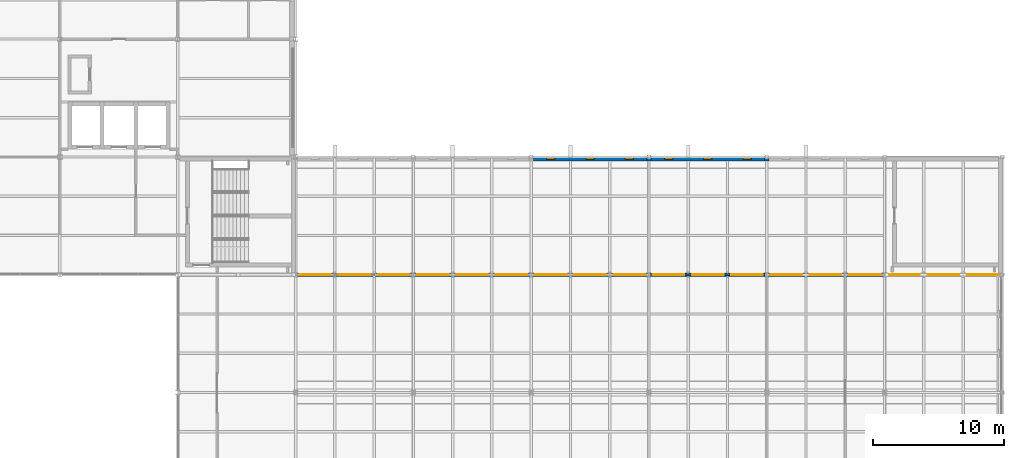
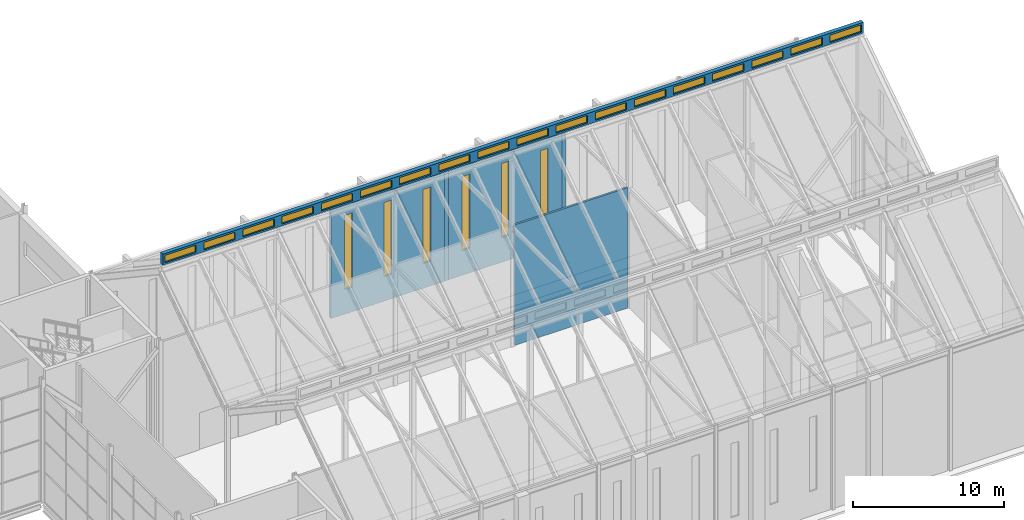
# One storey, part 93 of 111: 24 windows, 6 walls, 24 openings.
"""IFC4 building model written with IfcOpenShell, lengths in metres."""

from ifc_helpers import new_model, si_unit, direction, frame, frame_2d, origin, place, context, subcontext, project, spatial, rectangle, extrude, material, layer, layer_set, type_object, element, fill, save


model = new_model("IFC4")

# Units and contexts
model_context = context("Model", 3, precision=1e-05, world=origin(), true_north=direction((0.0, 1.0)))
body_context = subcontext(model_context, "Body", "Model", "MODEL_VIEW")
ifc_project = project(units=[si_unit("LENGTHUNIT", "METRE"), si_unit("AREAUNIT", "SQUARE_METRE"), si_unit("VOLUMEUNIT", "CUBIC_METRE"), si_unit("PLANEANGLEUNIT", "RADIAN"), si_unit("MASSUNIT", "GRAM", prefix="KILO")], contexts=[model_context])

# Site, building, storey
site_placement = place(None, origin())
site = spatial("IfcSite", under=ifc_project, at=site_placement, CompositionType="ELEMENT")
building_placement = place(site_placement, origin())
building = spatial("IfcBuilding", under=site, at=building_placement, Name="Shorebreak Coast Museum", CompositionType="ELEMENT")
storey_placement = place(building_placement, frame((0.0, 0.0, 16.0)))
storey = spatial("IfcBuildingStorey", under=building, at=storey_placement, Name="L03", CompositionType="ELEMENT", Elevation=16.0)

# Walls
ifc_material_1 = material(Name="Concrete N50 (50 MPa)", Category="concrete")
ifc_layer_1 = layer(ifc_material_1, 0.175048828125)
ifc_layer_set_1 = layer_set([ifc_layer_1], Name="Concrete N50 (50 MPa)")
wall_type_1 = type_object("IfcWallType", Name="Column closure panel 175", PredefinedType="SOLIDWALL", material=ifc_layer_set_1)
for number, where, z_axis, x_axis, name in (
    (1, (143.839111328125, 89.78759765625, 0.0), (0.0, 0.0, 1.0), (1.0, 0.0, 0.0), "Column closure panel L03 N 17L"),
    (2, (152.839111328125, 89.78759765625, 0.0), (0.0, 0.0, 1.0), (1.0, 0.0, 0.0), "Column closure panel L03 N 18L"),
):
    element("IfcWall", number, at=place(storey_placement, frame(where, z_axis=z_axis, x_axis=x_axis)), inside=storey, type_object=wall_type_1, Name=name, PredefinedType="SOLIDWALL", context=body_context, shape_type="SweptSolid", body=[
        extrude(rectangle(XDim=0.32177734375, YDim=0.175048828125, at=frame_2d((0.160888671875, 0.0))), origin(), (0.0, 0.0, 1.0), 9.800048828125),
    ])
ifc_material_2 = material(Name="Plasterboard on steel stud", Category="steel")
ifc_layer_2 = layer(ifc_material_2, 0.14990234375)
ifc_layer_set_2 = layer_set([ifc_layer_2], Name="Plasterboard on steel stud")
wall_type_2 = type_object("IfcWallType", Name="Fire partition 150", PredefinedType="PARTITIONING", material=ifc_layer_set_2)
wall_1_placement = place(storey_placement, frame((144.152587890625, 81.0, 0.0), z_axis=(0.0, 0.0, 1.0), x_axis=(1.0, 0.0, 0.0)))
element("IfcWall", 3, at=wall_1_placement, inside=storey, type_object=wall_type_2, Name="Partition L03-014", PredefinedType="PARTITIONING", context=body_context, shape_type="SweptSolid", body=[
    extrude(rectangle(XDim=8.69482421875, YDim=0.14990234375, at=frame_2d((4.347412109375, 0.0))), origin(), (0.0, 0.0, 1.0), 9.760009765625),
])

# Wall, openings, windows
ifc_material_3 = material(Name="Concrete N50 (50 MPa)", Category="concrete")
ifc_layer_3 = layer(ifc_material_3, 0.300048828125)
ifc_layer_set_3 = layer_set([ifc_layer_3], Name="Concrete N50 (50 MPa)")
wall_type_3 = type_object("IfcWallType", Name="Precast board-marked panel 300", PredefinedType="SOLIDWALL", material=ifc_layer_set_3)
wall_2_placement = place(storey_placement, frame((135.160888671875, 89.85009765625, 0.0), z_axis=(0.0, 0.0, 1.0), x_axis=(1.0, 0.0, 0.0)))
wall_2 = element("IfcWall", 4, at=wall_2_placement, inside=storey, type_object=wall_type_3, Name="External wall L03 N 16L", PredefinedType="SOLIDWALL", context=body_context, shape_type="SweptSolid", body=[
    extrude(rectangle(XDim=8.67822265625, YDim=0.300048828125, at=frame_2d((4.339111328125, 0.0))), origin(), (0.0, 0.0, 1.0), 9.800048828125),
])
opening_1_placement = place(wall_2_placement, frame((1.0390625, 0.0, 2.0)))
opening_1 = element("IfcOpeningElement", 5, at=opening_1_placement, cuts=wall_2, Name="Opening WN3011", PredefinedType="OPENING", context=body_context, shape_type="SweptSolid", body=[
    extrude(rectangle(XDim=0.60009765625, YDim=6.0, at=frame_2d((0.300048828125, 3.0))), frame((0.0, 0.159912109375, 0.0), z_axis=(0.0, -1.0, 0.0), x_axis=(1.0, 0.0, 0.0)), (0.0, 0.0, 1.0), 0.320068359375),
])
opening_2_placement = place(wall_2_placement, frame((4.0390625, 0.0, 2.0)))
opening_2 = element("IfcOpeningElement", 6, at=opening_2_placement, cuts=wall_2, Name="Opening WN3012", PredefinedType="OPENING", context=body_context, shape_type="SweptSolid", body=[
    extrude(rectangle(XDim=0.60009765625, YDim=6.0, at=frame_2d((0.300048828125, 3.0))), frame((0.0, 0.159912109375, 0.0), z_axis=(0.0, -1.0, 0.0), x_axis=(1.0, 0.0, 0.0)), (0.0, 0.0, 1.0), 0.320068359375),
])
opening_3_placement = place(wall_2_placement, frame((7.0390625, 0.0, 2.0)))
opening_3 = element("IfcOpeningElement", 7, at=opening_3_placement, cuts=wall_2, Name="Opening WN3013", PredefinedType="OPENING", context=body_context, shape_type="SweptSolid", body=[
    extrude(rectangle(XDim=0.60009765625, YDim=6.0, at=frame_2d((0.300048828125, 3.0))), frame((0.0, 0.159912109375, 0.0), z_axis=(0.0, -1.0, 0.0), x_axis=(1.0, 0.0, 0.0)), (0.0, 0.0, 1.0), 0.320068359375),
])
ifc_material_4 = material(Name="Aluminium", Category="aluminium")
window_type_1 = type_object("IfcWindowType", Name="Hall slot window 600 x 6000", PartitioningType="SINGLE_PANEL", PredefinedType="WINDOW", material=ifc_material_4)
window_1_placement = place(opening_1_placement, origin())
window_1 = element("IfcWindow", 8, at=window_1_placement, inside=storey, type_object=window_type_1, Name="Window WN3011", OverallHeight=6.0, OverallWidth=0.60009765625, PartitioningType="SINGLE_PANEL", PredefinedType="WINDOW", context=body_context, shape_type="SweptSolid", body=[
    extrude(rectangle(XDim=0.60009765625, YDim=6.0, at=frame_2d((0.300048828125, 3.0))), frame((0.0, 0.030029296875, 0.0), z_axis=(0.0, -1.0, 0.0), x_axis=(1.0, 0.0, 0.0)), (0.0, 0.0, 1.0), 0.06005859375),
])
fill(opening_1, window_1)
window_2_placement = place(opening_2_placement, origin())
window_2 = element("IfcWindow", 9, at=window_2_placement, inside=storey, type_object=window_type_1, Name="Window WN3012", OverallHeight=6.0, OverallWidth=0.60009765625, PartitioningType="SINGLE_PANEL", PredefinedType="WINDOW", context=body_context, shape_type="SweptSolid", body=[
    extrude(rectangle(XDim=0.60009765625, YDim=6.0, at=frame_2d((0.300048828125, 3.0))), frame((0.0, 0.030029296875, 0.0), z_axis=(0.0, -1.0, 0.0), x_axis=(1.0, 0.0, 0.0)), (0.0, 0.0, 1.0), 0.06005859375),
])
fill(opening_2, window_2)
window_3_placement = place(opening_3_placement, origin())
window_3 = element("IfcWindow", 10, at=window_3_placement, inside=storey, type_object=window_type_1, Name="Window WN3013", OverallHeight=6.0, OverallWidth=0.60009765625, PartitioningType="SINGLE_PANEL", PredefinedType="WINDOW", context=body_context, shape_type="SweptSolid", body=[
    extrude(rectangle(XDim=0.60009765625, YDim=6.0, at=frame_2d((0.300048828125, 3.0))), frame((0.0, 0.030029296875, 0.0), z_axis=(0.0, -1.0, 0.0), x_axis=(1.0, 0.0, 0.0)), (0.0, 0.0, 1.0), 0.06005859375),
])
fill(opening_3, window_3)

wall_3_placement = place(storey_placement, frame((144.160888671875, 89.85009765625, 0.0), z_axis=(0.0, 0.0, 1.0), x_axis=(1.0, 0.0, 0.0)))
wall_3 = element("IfcWall", 11, at=wall_3_placement, inside=storey, type_object=wall_type_3, Name="External wall L03 N 17L", PredefinedType="SOLIDWALL", context=body_context, shape_type="SweptSolid", body=[
    extrude(rectangle(XDim=8.67822265625, YDim=0.300048828125, at=frame_2d((4.339111328125, 0.0))), origin(), (0.0, 0.0, 1.0), 9.800048828125),
])
opening_4_placement = place(wall_3_placement, frame((1.0390625, 0.0, 2.0)))
opening_4 = element("IfcOpeningElement", 12, at=opening_4_placement, cuts=wall_3, Name="Opening WN3014", PredefinedType="OPENING", context=body_context, shape_type="SweptSolid", body=[
    extrude(rectangle(XDim=0.60009765625, YDim=6.0, at=frame_2d((0.300048828125, 3.0))), frame((0.0, 0.159912109375, 0.0), z_axis=(0.0, -1.0, 0.0), x_axis=(1.0, 0.0, 0.0)), (0.0, 0.0, 1.0), 0.320068359375),
])
opening_5_placement = place(wall_3_placement, frame((4.0390625, 0.0, 2.0)))
opening_5 = element("IfcOpeningElement", 13, at=opening_5_placement, cuts=wall_3, Name="Opening WN3015", PredefinedType="OPENING", context=body_context, shape_type="SweptSolid", body=[
    extrude(rectangle(XDim=0.60009765625, YDim=6.0, at=frame_2d((0.300048828125, 3.0))), frame((0.0, 0.159912109375, 0.0), z_axis=(0.0, -1.0, 0.0), x_axis=(1.0, 0.0, 0.0)), (0.0, 0.0, 1.0), 0.320068359375),
])
opening_6_placement = place(wall_3_placement, frame((7.0390625, 0.0, 2.0)))
opening_6 = element("IfcOpeningElement", 14, at=opening_6_placement, cuts=wall_3, Name="Opening WN3016", PredefinedType="OPENING", context=body_context, shape_type="SweptSolid", body=[
    extrude(rectangle(XDim=0.60009765625, YDim=6.0, at=frame_2d((0.300048828125, 3.0))), frame((0.0, 0.159912109375, 0.0), z_axis=(0.0, -1.0, 0.0), x_axis=(1.0, 0.0, 0.0)), (0.0, 0.0, 1.0), 0.320068359375),
])
window_4_placement = place(opening_4_placement, origin())
window_4 = element("IfcWindow", 15, at=window_4_placement, inside=storey, type_object=window_type_1, Name="Window WN3014", OverallHeight=6.0, OverallWidth=0.60009765625, PartitioningType="SINGLE_PANEL", PredefinedType="WINDOW", context=body_context, shape_type="SweptSolid", body=[
    extrude(rectangle(XDim=0.60009765625, YDim=6.0, at=frame_2d((0.300048828125, 3.0))), frame((0.0, 0.030029296875, 0.0), z_axis=(0.0, -1.0, 0.0), x_axis=(1.0, 0.0, 0.0)), (0.0, 0.0, 1.0), 0.06005859375),
])
fill(opening_4, window_4)
window_5_placement = place(opening_5_placement, origin())
window_5 = element("IfcWindow", 16, at=window_5_placement, inside=storey, type_object=window_type_1, Name="Window WN3015", OverallHeight=6.0, OverallWidth=0.60009765625, PartitioningType="SINGLE_PANEL", PredefinedType="WINDOW", context=body_context, shape_type="SweptSolid", body=[
    extrude(rectangle(XDim=0.60009765625, YDim=6.0, at=frame_2d((0.300048828125, 3.0))), frame((0.0, 0.030029296875, 0.0), z_axis=(0.0, -1.0, 0.0), x_axis=(1.0, 0.0, 0.0)), (0.0, 0.0, 1.0), 0.06005859375),
])
fill(opening_5, window_5)
window_6_placement = place(opening_6_placement, origin())
window_6 = element("IfcWindow", 17, at=window_6_placement, inside=storey, type_object=window_type_1, Name="Window WN3016", OverallHeight=6.0, OverallWidth=0.60009765625, PartitioningType="SINGLE_PANEL", PredefinedType="WINDOW", context=body_context, shape_type="SweptSolid", body=[
    extrude(rectangle(XDim=0.60009765625, YDim=6.0, at=frame_2d((0.300048828125, 3.0))), frame((0.0, 0.030029296875, 0.0), z_axis=(0.0, -1.0, 0.0), x_axis=(1.0, 0.0, 0.0)), (0.0, 0.0, 1.0), 0.06005859375),
])
fill(opening_6, window_6)

ifc_material_5 = material(Name="Concrete N50 (50 MPa)", Category="concrete")
ifc_layer_4 = layer(ifc_material_5, 0.300048828125)
ifc_layer_set_4 = layer_set([ifc_layer_4], Name="Concrete N50 (50 MPa)")
wall_type_4 = type_object("IfcWallType", Name="Ridge lantern kerb 300", PredefinedType="SOLIDWALL", material=ifc_layer_set_4)
wall_4_placement = place(storey_placement, frame((117.14990234375, 81.0, 16.0), z_axis=(0.0, 0.0, 1.0), x_axis=(1.0, 0.0, 0.0)))
wall_4 = element("IfcWall", 18, at=wall_4_placement, inside=storey, type_object=wall_type_4, Name="Ridge lantern FOLD-E R2", PredefinedType="SOLIDWALL", context=body_context, shape_type="SweptSolid", body=[
    extrude(rectangle(XDim=53.7001953125, YDim=0.300048828125, at=frame_2d((26.85009765625, 0.0))), origin(), (0.0, 0.0, 1.0), 0.89990234375),
])
opening_7_placement = place(wall_4_placement, frame((0.14990234375, 0.0, 0.14990234375)))
opening_7 = element("IfcOpeningElement", 19, at=opening_7_placement, cuts=wall_4, Name="Opening R-19", PredefinedType="OPENING", context=body_context, shape_type="SweptSolid", body=[
    extrude(rectangle(XDim=2.39990234375, YDim=0.60009765625, at=frame_2d((1.199951171875, 0.300048828125))), frame((0.0, 0.159912109375, 0.0), z_axis=(0.0, -1.0, 0.0), x_axis=(1.0, 0.0, 0.0)), (0.0, 0.0, 1.0), 0.320068359375),
])
opening_8_placement = place(wall_4_placement, frame((3.14990234375, 0.0, 0.14990234375)))
opening_8 = element("IfcOpeningElement", 20, at=opening_8_placement, cuts=wall_4, Name="Opening R-20", PredefinedType="OPENING", context=body_context, shape_type="SweptSolid", body=[
    extrude(rectangle(XDim=2.39990234375, YDim=0.60009765625, at=frame_2d((1.199951171875, 0.300048828125))), frame((0.0, 0.159912109375, 0.0), z_axis=(0.0, -1.0, 0.0), x_axis=(1.0, 0.0, 0.0)), (0.0, 0.0, 1.0), 0.320068359375),
])
opening_9_placement = place(wall_4_placement, frame((6.14990234375, 0.0, 0.14990234375)))
opening_9 = element("IfcOpeningElement", 21, at=opening_9_placement, cuts=wall_4, Name="Opening R-21", PredefinedType="OPENING", context=body_context, shape_type="SweptSolid", body=[
    extrude(rectangle(XDim=2.39990234375, YDim=0.60009765625, at=frame_2d((1.199951171875, 0.300048828125))), frame((0.0, 0.159912109375, 0.0), z_axis=(0.0, -1.0, 0.0), x_axis=(1.0, 0.0, 0.0)), (0.0, 0.0, 1.0), 0.320068359375),
])
opening_10_placement = place(wall_4_placement, frame((9.14990234375, 0.0, 0.14990234375)))
opening_10 = element("IfcOpeningElement", 22, at=opening_10_placement, cuts=wall_4, Name="Opening R-22", PredefinedType="OPENING", context=body_context, shape_type="SweptSolid", body=[
    extrude(rectangle(XDim=2.39990234375, YDim=0.60009765625, at=frame_2d((1.199951171875, 0.300048828125))), frame((0.0, 0.159912109375, 0.0), z_axis=(0.0, -1.0, 0.0), x_axis=(1.0, 0.0, 0.0)), (0.0, 0.0, 1.0), 0.320068359375),
])
opening_11_placement = place(wall_4_placement, frame((12.14990234375, 0.0, 0.14990234375)))
opening_11 = element("IfcOpeningElement", 23, at=opening_11_placement, cuts=wall_4, Name="Opening R-23", PredefinedType="OPENING", context=body_context, shape_type="SweptSolid", body=[
    extrude(rectangle(XDim=2.39990234375, YDim=0.60009765625, at=frame_2d((1.199951171875, 0.300048828125))), frame((0.0, 0.159912109375, 0.0), z_axis=(0.0, -1.0, 0.0), x_axis=(1.0, 0.0, 0.0)), (0.0, 0.0, 1.0), 0.320068359375),
])
opening_12_placement = place(wall_4_placement, frame((15.14990234375, 0.0, 0.14990234375)))
opening_12 = element("IfcOpeningElement", 24, at=opening_12_placement, cuts=wall_4, Name="Opening R-24", PredefinedType="OPENING", context=body_context, shape_type="SweptSolid", body=[
    extrude(rectangle(XDim=2.39990234375, YDim=0.60009765625, at=frame_2d((1.199951171875, 0.300048828125))), frame((0.0, 0.159912109375, 0.0), z_axis=(0.0, -1.0, 0.0), x_axis=(1.0, 0.0, 0.0)), (0.0, 0.0, 1.0), 0.320068359375),
])
opening_13_placement = place(wall_4_placement, frame((18.14990234375, 0.0, 0.14990234375)))
opening_13 = element("IfcOpeningElement", 25, at=opening_13_placement, cuts=wall_4, Name="Opening R-25", PredefinedType="OPENING", context=body_context, shape_type="SweptSolid", body=[
    extrude(rectangle(XDim=2.39990234375, YDim=0.60009765625, at=frame_2d((1.199951171875, 0.300048828125))), frame((0.0, 0.159912109375, 0.0), z_axis=(0.0, -1.0, 0.0), x_axis=(1.0, 0.0, 0.0)), (0.0, 0.0, 1.0), 0.320068359375),
])
opening_14_placement = place(wall_4_placement, frame((21.14990234375, 0.0, 0.14990234375)))
opening_14 = element("IfcOpeningElement", 26, at=opening_14_placement, cuts=wall_4, Name="Opening R-26", PredefinedType="OPENING", context=body_context, shape_type="SweptSolid", body=[
    extrude(rectangle(XDim=2.39990234375, YDim=0.60009765625, at=frame_2d((1.199951171875, 0.300048828125))), frame((0.0, 0.159912109375, 0.0), z_axis=(0.0, -1.0, 0.0), x_axis=(1.0, 0.0, 0.0)), (0.0, 0.0, 1.0), 0.320068359375),
])
opening_15_placement = place(wall_4_placement, frame((24.14990234375, 0.0, 0.14990234375)))
opening_15 = element("IfcOpeningElement", 27, at=opening_15_placement, cuts=wall_4, Name="Opening R-27", PredefinedType="OPENING", context=body_context, shape_type="SweptSolid", body=[
    extrude(rectangle(XDim=2.39990234375, YDim=0.60009765625, at=frame_2d((1.199951171875, 0.300048828125))), frame((0.0, 0.159912109375, 0.0), z_axis=(0.0, -1.0, 0.0), x_axis=(1.0, 0.0, 0.0)), (0.0, 0.0, 1.0), 0.320068359375),
])
opening_16_placement = place(wall_4_placement, frame((27.14990234375, 0.0, 0.14990234375)))
opening_16 = element("IfcOpeningElement", 28, at=opening_16_placement, cuts=wall_4, Name="Opening R-28", PredefinedType="OPENING", context=body_context, shape_type="SweptSolid", body=[
    extrude(rectangle(XDim=2.39990234375, YDim=0.60009765625, at=frame_2d((1.199951171875, 0.300048828125))), frame((0.0, 0.159912109375, 0.0), z_axis=(0.0, -1.0, 0.0), x_axis=(1.0, 0.0, 0.0)), (0.0, 0.0, 1.0), 0.320068359375),
])
opening_17_placement = place(wall_4_placement, frame((30.14990234375, 0.0, 0.14990234375)))
opening_17 = element("IfcOpeningElement", 29, at=opening_17_placement, cuts=wall_4, Name="Opening R-29", PredefinedType="OPENING", context=body_context, shape_type="SweptSolid", body=[
    extrude(rectangle(XDim=2.39990234375, YDim=0.60009765625, at=frame_2d((1.199951171875, 0.300048828125))), frame((0.0, 0.159912109375, 0.0), z_axis=(0.0, -1.0, 0.0), x_axis=(1.0, 0.0, 0.0)), (0.0, 0.0, 1.0), 0.320068359375),
])
opening_18_placement = place(wall_4_placement, frame((33.14990234375, 0.0, 0.14990234375)))
opening_18 = element("IfcOpeningElement", 30, at=opening_18_placement, cuts=wall_4, Name="Opening R-30", PredefinedType="OPENING", context=body_context, shape_type="SweptSolid", body=[
    extrude(rectangle(XDim=2.39990234375, YDim=0.60009765625, at=frame_2d((1.199951171875, 0.300048828125))), frame((0.0, 0.159912109375, 0.0), z_axis=(0.0, -1.0, 0.0), x_axis=(1.0, 0.0, 0.0)), (0.0, 0.0, 1.0), 0.320068359375),
])
opening_19_placement = place(wall_4_placement, frame((36.14990234375, 0.0, 0.14990234375)))
opening_19 = element("IfcOpeningElement", 31, at=opening_19_placement, cuts=wall_4, Name="Opening R-31", PredefinedType="OPENING", context=body_context, shape_type="SweptSolid", body=[
    extrude(rectangle(XDim=2.39990234375, YDim=0.60009765625, at=frame_2d((1.199951171875, 0.300048828125))), frame((0.0, 0.159912109375, 0.0), z_axis=(0.0, -1.0, 0.0), x_axis=(1.0, 0.0, 0.0)), (0.0, 0.0, 1.0), 0.320068359375),
])
opening_20_placement = place(wall_4_placement, frame((39.14990234375, 0.0, 0.14990234375)))
opening_20 = element("IfcOpeningElement", 32, at=opening_20_placement, cuts=wall_4, Name="Opening R-32", PredefinedType="OPENING", context=body_context, shape_type="SweptSolid", body=[
    extrude(rectangle(XDim=2.39990234375, YDim=0.60009765625, at=frame_2d((1.199951171875, 0.300048828125))), frame((0.0, 0.159912109375, 0.0), z_axis=(0.0, -1.0, 0.0), x_axis=(1.0, 0.0, 0.0)), (0.0, 0.0, 1.0), 0.320068359375),
])
opening_21_placement = place(wall_4_placement, frame((42.14990234375, 0.0, 0.14990234375)))
opening_21 = element("IfcOpeningElement", 33, at=opening_21_placement, cuts=wall_4, Name="Opening R-33", PredefinedType="OPENING", context=body_context, shape_type="SweptSolid", body=[
    extrude(rectangle(XDim=2.39990234375, YDim=0.60009765625, at=frame_2d((1.199951171875, 0.300048828125))), frame((0.0, 0.159912109375, 0.0), z_axis=(0.0, -1.0, 0.0), x_axis=(1.0, 0.0, 0.0)), (0.0, 0.0, 1.0), 0.320068359375),
])
opening_22_placement = place(wall_4_placement, frame((45.14990234375, 0.0, 0.14990234375)))
opening_22 = element("IfcOpeningElement", 34, at=opening_22_placement, cuts=wall_4, Name="Opening R-34", PredefinedType="OPENING", context=body_context, shape_type="SweptSolid", body=[
    extrude(rectangle(XDim=2.39990234375, YDim=0.60009765625, at=frame_2d((1.199951171875, 0.300048828125))), frame((0.0, 0.159912109375, 0.0), z_axis=(0.0, -1.0, 0.0), x_axis=(1.0, 0.0, 0.0)), (0.0, 0.0, 1.0), 0.320068359375),
])
opening_23_placement = place(wall_4_placement, frame((48.14990234375, 0.0, 0.14990234375)))
opening_23 = element("IfcOpeningElement", 35, at=opening_23_placement, cuts=wall_4, Name="Opening R-35", PredefinedType="OPENING", context=body_context, shape_type="SweptSolid", body=[
    extrude(rectangle(XDim=2.39990234375, YDim=0.60009765625, at=frame_2d((1.199951171875, 0.300048828125))), frame((0.0, 0.159912109375, 0.0), z_axis=(0.0, -1.0, 0.0), x_axis=(1.0, 0.0, 0.0)), (0.0, 0.0, 1.0), 0.320068359375),
])
opening_24_placement = place(wall_4_placement, frame((51.14990234375, 0.0, 0.14990234375)))
opening_24 = element("IfcOpeningElement", 36, at=opening_24_placement, cuts=wall_4, Name="Opening R-36", PredefinedType="OPENING", context=body_context, shape_type="SweptSolid", body=[
    extrude(rectangle(XDim=2.39990234375, YDim=0.60009765625, at=frame_2d((1.199951171875, 0.300048828125))), frame((0.0, 0.159912109375, 0.0), z_axis=(0.0, -1.0, 0.0), x_axis=(1.0, 0.0, 0.0)), (0.0, 0.0, 1.0), 0.320068359375),
])
ifc_material_6 = material(Name="Aluminium", Category="aluminium")
window_type_2 = type_object("IfcWindowType", Name="Rooflight 2400 x 600", PartitioningType="SINGLE_PANEL", PredefinedType="SKYLIGHT", material=ifc_material_6)
window_7_placement = place(opening_7_placement, origin())
window_7 = element("IfcWindow", 37, at=window_7_placement, inside=storey, type_object=window_type_2, Name="Rooflight R-19", OverallHeight=0.60009765625, OverallWidth=2.39990234375, PartitioningType="SINGLE_PANEL", PredefinedType="SKYLIGHT", context=body_context, shape_type="SweptSolid", body=[
    extrude(rectangle(XDim=2.39990234375, YDim=0.60009765625, at=frame_2d((1.199951171875, 0.300048828125))), frame((0.0, 0.030029296875, 0.0), z_axis=(0.0, -1.0, 0.0), x_axis=(1.0, 0.0, 0.0)), (0.0, 0.0, 1.0), 0.06005859375),
])
fill(opening_7, window_7)
window_8_placement = place(opening_8_placement, origin())
window_8 = element("IfcWindow", 38, at=window_8_placement, inside=storey, type_object=window_type_2, Name="Rooflight R-20", OverallHeight=0.60009765625, OverallWidth=2.39990234375, PartitioningType="SINGLE_PANEL", PredefinedType="SKYLIGHT", context=body_context, shape_type="SweptSolid", body=[
    extrude(rectangle(XDim=2.39990234375, YDim=0.60009765625, at=frame_2d((1.199951171875, 0.300048828125))), frame((0.0, 0.030029296875, 0.0), z_axis=(0.0, -1.0, 0.0), x_axis=(1.0, 0.0, 0.0)), (0.0, 0.0, 1.0), 0.06005859375),
])
fill(opening_8, window_8)
window_9_placement = place(opening_9_placement, origin())
window_9 = element("IfcWindow", 39, at=window_9_placement, inside=storey, type_object=window_type_2, Name="Rooflight R-21", OverallHeight=0.60009765625, OverallWidth=2.39990234375, PartitioningType="SINGLE_PANEL", PredefinedType="SKYLIGHT", context=body_context, shape_type="SweptSolid", body=[
    extrude(rectangle(XDim=2.39990234375, YDim=0.60009765625, at=frame_2d((1.199951171875, 0.300048828125))), frame((0.0, 0.030029296875, 0.0), z_axis=(0.0, -1.0, 0.0), x_axis=(1.0, 0.0, 0.0)), (0.0, 0.0, 1.0), 0.06005859375),
])
fill(opening_9, window_9)
window_10_placement = place(opening_10_placement, origin())
window_10 = element("IfcWindow", 40, at=window_10_placement, inside=storey, type_object=window_type_2, Name="Rooflight R-22", OverallHeight=0.60009765625, OverallWidth=2.39990234375, PartitioningType="SINGLE_PANEL", PredefinedType="SKYLIGHT", context=body_context, shape_type="SweptSolid", body=[
    extrude(rectangle(XDim=2.39990234375, YDim=0.60009765625, at=frame_2d((1.199951171875, 0.300048828125))), frame((0.0, 0.030029296875, 0.0), z_axis=(0.0, -1.0, 0.0), x_axis=(1.0, 0.0, 0.0)), (0.0, 0.0, 1.0), 0.06005859375),
])
fill(opening_10, window_10)
window_11_placement = place(opening_11_placement, origin())
window_11 = element("IfcWindow", 41, at=window_11_placement, inside=storey, type_object=window_type_2, Name="Rooflight R-23", OverallHeight=0.60009765625, OverallWidth=2.39990234375, PartitioningType="SINGLE_PANEL", PredefinedType="SKYLIGHT", context=body_context, shape_type="SweptSolid", body=[
    extrude(rectangle(XDim=2.39990234375, YDim=0.60009765625, at=frame_2d((1.199951171875, 0.300048828125))), frame((0.0, 0.030029296875, 0.0), z_axis=(0.0, -1.0, 0.0), x_axis=(1.0, 0.0, 0.0)), (0.0, 0.0, 1.0), 0.06005859375),
])
fill(opening_11, window_11)
window_12_placement = place(opening_12_placement, origin())
window_12 = element("IfcWindow", 42, at=window_12_placement, inside=storey, type_object=window_type_2, Name="Rooflight R-24", OverallHeight=0.60009765625, OverallWidth=2.39990234375, PartitioningType="SINGLE_PANEL", PredefinedType="SKYLIGHT", context=body_context, shape_type="SweptSolid", body=[
    extrude(rectangle(XDim=2.39990234375, YDim=0.60009765625, at=frame_2d((1.199951171875, 0.300048828125))), frame((0.0, 0.030029296875, 0.0), z_axis=(0.0, -1.0, 0.0), x_axis=(1.0, 0.0, 0.0)), (0.0, 0.0, 1.0), 0.06005859375),
])
fill(opening_12, window_12)
window_13_placement = place(opening_13_placement, origin())
window_13 = element("IfcWindow", 43, at=window_13_placement, inside=storey, type_object=window_type_2, Name="Rooflight R-25", OverallHeight=0.60009765625, OverallWidth=2.39990234375, PartitioningType="SINGLE_PANEL", PredefinedType="SKYLIGHT", context=body_context, shape_type="SweptSolid", body=[
    extrude(rectangle(XDim=2.39990234375, YDim=0.60009765625, at=frame_2d((1.199951171875, 0.300048828125))), frame((0.0, 0.030029296875, 0.0), z_axis=(0.0, -1.0, 0.0), x_axis=(1.0, 0.0, 0.0)), (0.0, 0.0, 1.0), 0.06005859375),
])
fill(opening_13, window_13)
window_14_placement = place(opening_14_placement, origin())
window_14 = element("IfcWindow", 44, at=window_14_placement, inside=storey, type_object=window_type_2, Name="Rooflight R-26", OverallHeight=0.60009765625, OverallWidth=2.39990234375, PartitioningType="SINGLE_PANEL", PredefinedType="SKYLIGHT", context=body_context, shape_type="SweptSolid", body=[
    extrude(rectangle(XDim=2.39990234375, YDim=0.60009765625, at=frame_2d((1.199951171875, 0.300048828125))), frame((0.0, 0.030029296875, 0.0), z_axis=(0.0, -1.0, 0.0), x_axis=(1.0, 0.0, 0.0)), (0.0, 0.0, 1.0), 0.06005859375),
])
fill(opening_14, window_14)
window_15_placement = place(opening_15_placement, origin())
window_15 = element("IfcWindow", 45, at=window_15_placement, inside=storey, type_object=window_type_2, Name="Rooflight R-27", OverallHeight=0.60009765625, OverallWidth=2.39990234375, PartitioningType="SINGLE_PANEL", PredefinedType="SKYLIGHT", context=body_context, shape_type="SweptSolid", body=[
    extrude(rectangle(XDim=2.39990234375, YDim=0.60009765625, at=frame_2d((1.199951171875, 0.300048828125))), frame((0.0, 0.030029296875, 0.0), z_axis=(0.0, -1.0, 0.0), x_axis=(1.0, 0.0, 0.0)), (0.0, 0.0, 1.0), 0.06005859375),
])
fill(opening_15, window_15)
window_16_placement = place(opening_16_placement, origin())
window_16 = element("IfcWindow", 46, at=window_16_placement, inside=storey, type_object=window_type_2, Name="Rooflight R-28", OverallHeight=0.60009765625, OverallWidth=2.39990234375, PartitioningType="SINGLE_PANEL", PredefinedType="SKYLIGHT", context=body_context, shape_type="SweptSolid", body=[
    extrude(rectangle(XDim=2.39990234375, YDim=0.60009765625, at=frame_2d((1.199951171875, 0.300048828125))), frame((0.0, 0.030029296875, 0.0), z_axis=(0.0, -1.0, 0.0), x_axis=(1.0, 0.0, 0.0)), (0.0, 0.0, 1.0), 0.06005859375),
])
fill(opening_16, window_16)
window_17_placement = place(opening_17_placement, origin())
window_17 = element("IfcWindow", 47, at=window_17_placement, inside=storey, type_object=window_type_2, Name="Rooflight R-29", OverallHeight=0.60009765625, OverallWidth=2.39990234375, PartitioningType="SINGLE_PANEL", PredefinedType="SKYLIGHT", context=body_context, shape_type="SweptSolid", body=[
    extrude(rectangle(XDim=2.39990234375, YDim=0.60009765625, at=frame_2d((1.199951171875, 0.300048828125))), frame((0.0, 0.030029296875, 0.0), z_axis=(0.0, -1.0, 0.0), x_axis=(1.0, 0.0, 0.0)), (0.0, 0.0, 1.0), 0.06005859375),
])
fill(opening_17, window_17)
window_18_placement = place(opening_18_placement, origin())
window_18 = element("IfcWindow", 48, at=window_18_placement, inside=storey, type_object=window_type_2, Name="Rooflight R-30", OverallHeight=0.60009765625, OverallWidth=2.39990234375, PartitioningType="SINGLE_PANEL", PredefinedType="SKYLIGHT", context=body_context, shape_type="SweptSolid", body=[
    extrude(rectangle(XDim=2.39990234375, YDim=0.60009765625, at=frame_2d((1.199951171875, 0.300048828125))), frame((0.0, 0.030029296875, 0.0), z_axis=(0.0, -1.0, 0.0), x_axis=(1.0, 0.0, 0.0)), (0.0, 0.0, 1.0), 0.06005859375),
])
fill(opening_18, window_18)
window_19_placement = place(opening_19_placement, origin())
window_19 = element("IfcWindow", 49, at=window_19_placement, inside=storey, type_object=window_type_2, Name="Rooflight R-31", OverallHeight=0.60009765625, OverallWidth=2.39990234375, PartitioningType="SINGLE_PANEL", PredefinedType="SKYLIGHT", context=body_context, shape_type="SweptSolid", body=[
    extrude(rectangle(XDim=2.39990234375, YDim=0.60009765625, at=frame_2d((1.199951171875, 0.300048828125))), frame((0.0, 0.030029296875, 0.0), z_axis=(0.0, -1.0, 0.0), x_axis=(1.0, 0.0, 0.0)), (0.0, 0.0, 1.0), 0.06005859375),
])
fill(opening_19, window_19)
window_20_placement = place(opening_20_placement, origin())
window_20 = element("IfcWindow", 50, at=window_20_placement, inside=storey, type_object=window_type_2, Name="Rooflight R-32", OverallHeight=0.60009765625, OverallWidth=2.39990234375, PartitioningType="SINGLE_PANEL", PredefinedType="SKYLIGHT", context=body_context, shape_type="SweptSolid", body=[
    extrude(rectangle(XDim=2.39990234375, YDim=0.60009765625, at=frame_2d((1.199951171875, 0.300048828125))), frame((0.0, 0.030029296875, 0.0), z_axis=(0.0, -1.0, 0.0), x_axis=(1.0, 0.0, 0.0)), (0.0, 0.0, 1.0), 0.06005859375),
])
fill(opening_20, window_20)
window_21_placement = place(opening_21_placement, origin())
window_21 = element("IfcWindow", 51, at=window_21_placement, inside=storey, type_object=window_type_2, Name="Rooflight R-33", OverallHeight=0.60009765625, OverallWidth=2.39990234375, PartitioningType="SINGLE_PANEL", PredefinedType="SKYLIGHT", context=body_context, shape_type="SweptSolid", body=[
    extrude(rectangle(XDim=2.39990234375, YDim=0.60009765625, at=frame_2d((1.199951171875, 0.300048828125))), frame((0.0, 0.030029296875, 0.0), z_axis=(0.0, -1.0, 0.0), x_axis=(1.0, 0.0, 0.0)), (0.0, 0.0, 1.0), 0.06005859375),
])
fill(opening_21, window_21)
window_22_placement = place(opening_22_placement, origin())
window_22 = element("IfcWindow", 52, at=window_22_placement, inside=storey, type_object=window_type_2, Name="Rooflight R-34", OverallHeight=0.60009765625, OverallWidth=2.39990234375, PartitioningType="SINGLE_PANEL", PredefinedType="SKYLIGHT", context=body_context, shape_type="SweptSolid", body=[
    extrude(rectangle(XDim=2.39990234375, YDim=0.60009765625, at=frame_2d((1.199951171875, 0.300048828125))), frame((0.0, 0.030029296875, 0.0), z_axis=(0.0, -1.0, 0.0), x_axis=(1.0, 0.0, 0.0)), (0.0, 0.0, 1.0), 0.06005859375),
])
fill(opening_22, window_22)
window_23_placement = place(opening_23_placement, origin())
window_23 = element("IfcWindow", 53, at=window_23_placement, inside=storey, type_object=window_type_2, Name="Rooflight R-35", OverallHeight=0.60009765625, OverallWidth=2.39990234375, PartitioningType="SINGLE_PANEL", PredefinedType="SKYLIGHT", context=body_context, shape_type="SweptSolid", body=[
    extrude(rectangle(XDim=2.39990234375, YDim=0.60009765625, at=frame_2d((1.199951171875, 0.300048828125))), frame((0.0, 0.030029296875, 0.0), z_axis=(0.0, -1.0, 0.0), x_axis=(1.0, 0.0, 0.0)), (0.0, 0.0, 1.0), 0.06005859375),
])
fill(opening_23, window_23)
window_24_placement = place(opening_24_placement, origin())
window_24 = element("IfcWindow", 54, at=window_24_placement, inside=storey, type_object=window_type_2, Name="Rooflight R-36", OverallHeight=0.60009765625, OverallWidth=2.39990234375, PartitioningType="SINGLE_PANEL", PredefinedType="SKYLIGHT", context=body_context, shape_type="SweptSolid", body=[
    extrude(rectangle(XDim=2.39990234375, YDim=0.60009765625, at=frame_2d((1.199951171875, 0.300048828125))), frame((0.0, 0.030029296875, 0.0), z_axis=(0.0, -1.0, 0.0), x_axis=(1.0, 0.0, 0.0)), (0.0, 0.0, 1.0), 0.06005859375),
])
fill(opening_24, window_24)

save(model, "model.ifc")
